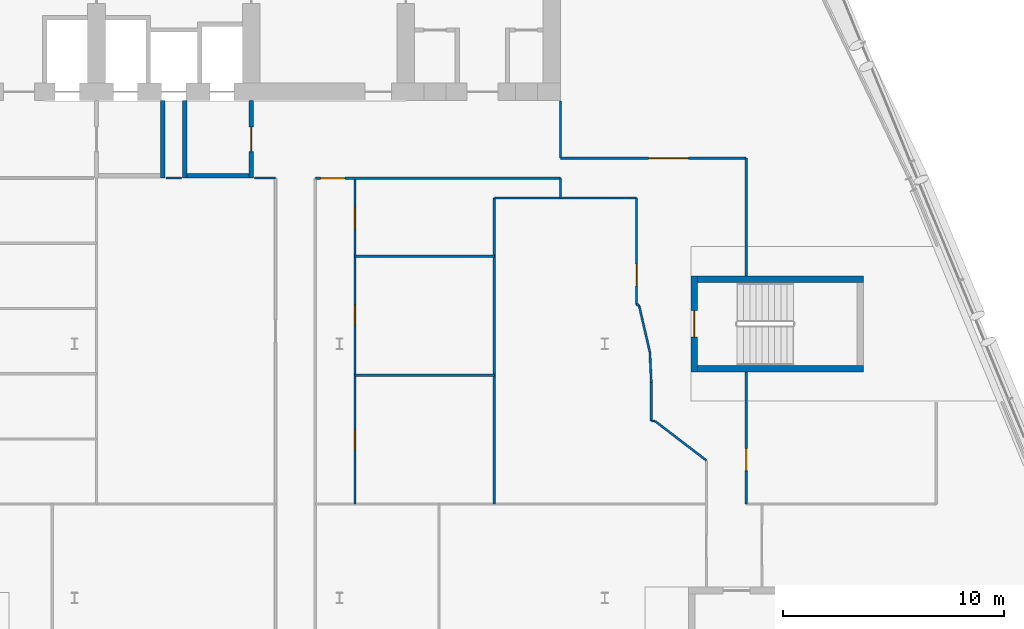
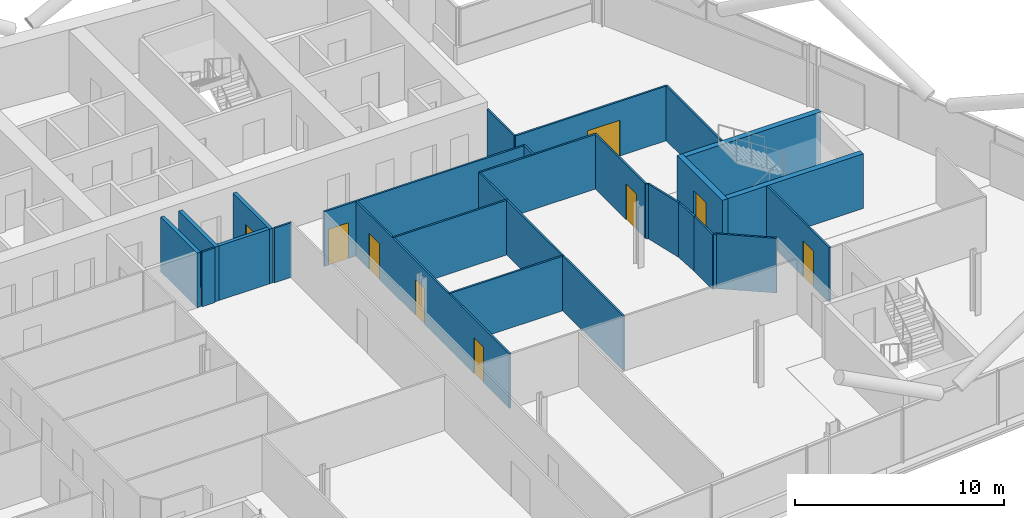
# One storey, part 16 of 26: 27 walls, 9 doors, 9 openings.
"""IFC4 building model written with IfcOpenShell, lengths in metres."""

from ifc_helpers import new_model, si_unit, direction, frame, frame_2d, origin, place, context, subcontext, project, spatial, rectangle, extrude, material, layer, layer_set, type_object, element, fill, save


model = new_model("IFC4")

# Units and contexts
model_context = context("Model", 3, precision=1e-05, world=origin(), true_north=direction((0.0, 1.0)))
body_context = subcontext(model_context, "Body", "Model", "MODEL_VIEW")
ifc_project = project(units=[si_unit("LENGTHUNIT", "METRE"), si_unit("AREAUNIT", "SQUARE_METRE"), si_unit("VOLUMEUNIT", "CUBIC_METRE"), si_unit("PLANEANGLEUNIT", "RADIAN"), si_unit("MASSUNIT", "GRAM", prefix="KILO")], contexts=[model_context])

# Site, building, storey
site_placement = place(None, origin())
site = spatial("IfcSite", under=ifc_project, at=site_placement, CompositionType="ELEMENT")
building_placement = place(site_placement, origin())
building = spatial("IfcBuilding", under=site, at=building_placement, Name="Wharfspan Tower", CompositionType="ELEMENT")
storey_placement = place(building_placement, frame((0.0, 0.0, 166.300049)))
storey = spatial("IfcBuildingStorey", under=building, at=storey_placement, Name="L40", CompositionType="ELEMENT", Elevation=166.300049)

# Wall, opening, door
ifc_material_1 = material(Name="Gypsum board on steel studs", Category="steel")
ifc_layer_1 = layer(ifc_material_1, 0.100098)
ifc_layer_set_1 = layer_set([ifc_layer_1], Name="Gypsum board on steel studs")
wall_type_1 = type_object("IfcWallType", Name="Compartment wall 100 EI 60", PredefinedType="PARTITIONING", material=ifc_layer_set_1)
wall_1_placement = place(storey_placement, frame((46.909912, 30.48999, 0.0), z_axis=(0.0, 0.0, 1.0), x_axis=(1.0, 0.0, 0.0)))
wall_1 = element("IfcWall", 1, at=wall_1_placement, inside=storey, type_object=wall_type_1, Name="Partition L40.w036", PredefinedType="PARTITIONING", context=body_context, shape_type="SweptSolid", body=[
    extrude(rectangle(XDim=11.090088, YDim=0.100098, at=frame_2d((5.544922, 0.0))), origin(), (0.0, 0.0, 1.0), 3.199951),
])
opening_1_placement = place(wall_1_placement, frame((0.235107, 0.0, 0.0)))
opening_1 = element("IfcOpeningElement", 2, at=opening_1_placement, cuts=wall_1, Name="Opening C3-21", PredefinedType="OPENING", context=body_context, shape_type="SweptSolid", body=[
    extrude(rectangle(XDim=1.100098, YDim=2.100098, at=frame_2d((0.550049, 1.050049))), frame((0.0, 0.060059, 0.0), z_axis=(0.0, -1.0, 0.0), x_axis=(1.0, 0.0, 0.0)), (0.0, 0.0, 1.0), 0.120117),
])
ifc_material_2 = material(Name="Fire-rated timber door leaf in steel frame", Category="steel")
door_type_1 = type_object("IfcDoorType", Name="Door 1100 FD30S Left", OperationType="SINGLE_SWING_LEFT", PredefinedType="DOOR", material=ifc_material_2)
door_1_placement = place(opening_1_placement, origin())
door_1 = element("IfcDoor", 3, at=door_1_placement, inside=storey, type_object=door_type_1, Name="Door C3-21", OperationType="SINGLE_SWING_LEFT", OverallHeight=2.100098, OverallWidth=1.100098, PredefinedType="DOOR", context=body_context, shape_type="SweptSolid", body=[
    extrude(rectangle(XDim=1.100098, YDim=2.100098, at=frame_2d((0.550049, 1.050049))), frame((0.0, 0.024902, 0.0), z_axis=(0.0, -1.0, 0.0), x_axis=(1.0, 0.0, 0.0)), (0.0, 0.0, 1.0), 0.050049),
])
fill(opening_1, door_1)

# Wall, openings, doors
wall_2_placement = place(storey_placement, frame((48.699951, 15.745117, 0.0), z_axis=(0.0, 0.0, 1.0), x_axis=(0.0, 1.0, 0.0)))
wall_2 = element("IfcWall", 4, at=wall_2_placement, inside=storey, type_object=wall_type_1, Name="Partition L40.w037", PredefinedType="PARTITIONING", context=body_context, shape_type="SweptSolid", body=[
    extrude(rectangle(XDim=14.744873, YDim=0.100098, at=frame_2d((7.372559, 0.0))), origin(), (0.0, 0.0, 1.0), 3.199951),
])
opening_2_placement = place(wall_2_placement, frame((2.468994, 0.0, 0.0)))
opening_2 = element("IfcOpeningElement", 5, at=opening_2_placement, cuts=wall_2, Name="Opening C3-10", PredefinedType="OPENING", context=body_context, shape_type="SweptSolid", body=[
    extrude(rectangle(XDim=0.899902, YDim=2.100098, at=frame_2d((0.449951, 1.050049))), frame((0.0, 0.060059, 0.0), z_axis=(0.0, -1.0, 0.0), x_axis=(1.0, 0.0, 0.0)), (0.0, 0.0, 1.0), 0.120117),
])
opening_3_placement = place(wall_2_placement, frame((8.099121, 0.0, 0.0)))
opening_3 = element("IfcOpeningElement", 6, at=opening_3_placement, cuts=wall_2, Name="Opening C3-15", PredefinedType="OPENING", context=body_context, shape_type="SweptSolid", body=[
    extrude(rectangle(XDim=0.899902, YDim=2.100098, at=frame_2d((0.449951, 1.050049))), frame((0.0, 0.060059, 0.0), z_axis=(0.0, -1.0, 0.0), x_axis=(1.0, 0.0, 0.0)), (0.0, 0.0, 1.0), 0.120117),
])
opening_4_placement = place(wall_2_placement, frame((12.434082, 0.0, 0.0)))
opening_4 = element("IfcOpeningElement", 7, at=opening_4_placement, cuts=wall_2, Name="Opening C3-19", PredefinedType="OPENING", context=body_context, shape_type="SweptSolid", body=[
    extrude(rectangle(XDim=1.0, YDim=2.100098, at=frame_2d((0.5, 1.050049))), frame((0.0, 0.060059, 0.0), z_axis=(0.0, -1.0, 0.0), x_axis=(1.0, 0.0, 0.0)), (0.0, 0.0, 1.0), 0.120117),
])
ifc_material_3 = material(Name="Timber door leaf in steel frame", Category="steel")
door_type_2 = type_object("IfcDoorType", Name="Door 1000 NOT RATED Right", OperationType="SINGLE_SWING_RIGHT", PredefinedType="DOOR", material=ifc_material_3)
door_2_placement = place(opening_4_placement, origin())
door_2 = element("IfcDoor", 8, at=door_2_placement, inside=storey, type_object=door_type_2, Name="Door C3-19", OperationType="SINGLE_SWING_RIGHT", OverallHeight=2.100098, OverallWidth=1.0, PredefinedType="DOOR", context=body_context, shape_type="SweptSolid", body=[
    extrude(rectangle(XDim=1.0, YDim=2.100098, at=frame_2d((0.5, 1.050049))), frame((0.0, 0.024902, 0.0), z_axis=(0.0, -1.0, 0.0), x_axis=(1.0, 0.0, 0.0)), (0.0, 0.0, 1.0), 0.050049),
])
fill(opening_4, door_2)
door_type_3 = type_object("IfcDoorType", Name="Door 900 NOT RATED Left", OperationType="SINGLE_SWING_LEFT", PredefinedType="DOOR", material=ifc_material_3)
door_3_placement = place(opening_2_placement, origin())
door_3 = element("IfcDoor", 9, at=door_3_placement, inside=storey, type_object=door_type_3, Name="Door C3-10", OperationType="SINGLE_SWING_LEFT", OverallHeight=2.100098, OverallWidth=0.899902, PredefinedType="DOOR", context=body_context, shape_type="SweptSolid", body=[
    extrude(rectangle(XDim=0.899902, YDim=2.100098, at=frame_2d((0.449951, 1.050049))), frame((0.0, 0.024902, 0.0), z_axis=(0.0, -1.0, 0.0), x_axis=(1.0, 0.0, 0.0)), (0.0, 0.0, 1.0), 0.050049),
])
fill(opening_2, door_3)
door_type_4 = type_object("IfcDoorType", Name="Door 900 NOT RATED Right", OperationType="SINGLE_SWING_RIGHT", PredefinedType="DOOR", material=ifc_material_3)
door_4_placement = place(opening_3_placement, origin())
door_4 = element("IfcDoor", 10, at=door_4_placement, inside=storey, type_object=door_type_4, Name="Door C3-15", OperationType="SINGLE_SWING_RIGHT", OverallHeight=2.100098, OverallWidth=0.899902, PredefinedType="DOOR", context=body_context, shape_type="SweptSolid", body=[
    extrude(rectangle(XDim=0.899902, YDim=2.100098, at=frame_2d((0.449951, 1.050049))), frame((0.0, 0.024902, 0.0), z_axis=(0.0, -1.0, 0.0), x_axis=(1.0, 0.0, 0.0)), (0.0, 0.0, 1.0), 0.050049),
])
fill(opening_3, door_4)

# Walls
wall_3_placement = place(storey_placement, frame((55.0, 29.600098, 0.0), z_axis=(0.0, 0.0, 1.0), x_axis=(1.0, 0.0, 0.0)))
element("IfcWall", 11, at=wall_3_placement, inside=storey, type_object=wall_type_1, Name="Partition L40.w044", PredefinedType="PARTITIONING", context=body_context, shape_type="SweptSolid", body=[
    extrude(rectangle(XDim=6.439941, YDim=0.100098, at=frame_2d((3.219971, 0.0))), origin(), (0.0, 0.0, 1.0), 3.199951),
])
wall_4_placement = place(storey_placement, frame((58.0, 29.600098, 0.0), z_axis=(0.0, 0.0, 1.0), x_axis=(0.0, 1.0, 0.0)))
element("IfcWall", 12, at=wall_4_placement, inside=storey, type_object=wall_type_1, Name="Partition L40.w045", PredefinedType="PARTITIONING", context=body_context, shape_type="SweptSolid", body=[
    extrude(rectangle(XDim=0.899902, YDim=0.100098, at=frame_2d((0.449951, 0.0))), origin(), (0.0, 0.0, 1.0), 3.199951),
])
wall_5_placement = place(storey_placement, frame((58.0, 31.399902, 0.0), z_axis=(0.0, 0.0, 1.0), x_axis=(0.0, 1.0, 0.0)))
element("IfcWall", 13, at=wall_5_placement, inside=storey, type_object=wall_type_1, Name="Partition L40.w046", PredefinedType="PARTITIONING", context=body_context, shape_type="SweptSolid", body=[
    extrude(rectangle(XDim=2.580078, YDim=0.100098, at=frame_2d((1.290039, 0.0))), origin(), (0.0, 0.0, 1.0), 3.199951),
])

# Wall, opening, door
wall_6_placement = place(storey_placement, frame((58.0, 31.399902, 0.0), z_axis=(0.0, 0.0, 1.0), x_axis=(1.0, 0.0, 0.0)))
wall_6 = element("IfcWall", 14, at=wall_6_placement, inside=storey, type_object=wall_type_1, Name="Partition L40.w047", PredefinedType="PARTITIONING", context=body_context, shape_type="SweptSolid", body=[
    extrude(rectangle(XDim=8.399902, YDim=0.100098, at=frame_2d((4.199951, 0.0))), origin(), (0.0, 0.0, 1.0), 3.199951),
])
opening_5_placement = place(wall_6_placement, frame((3.97998, 0.0, 0.0)))
opening_5 = element("IfcOpeningElement", 15, at=opening_5_placement, cuts=wall_6, Name="Opening C3-24", PredefinedType="OPENING", context=body_context, shape_type="SweptSolid", body=[
    extrude(rectangle(XDim=1.800049, YDim=2.100098, at=frame_2d((0.899902, 1.050049))), frame((0.0, 0.060059, 0.0), z_axis=(0.0, -1.0, 0.0), x_axis=(1.0, 0.0, 0.0)), (0.0, 0.0, 1.0), 0.120117),
])
door_type_5 = type_object("IfcDoorType", Name="Door 1800 FD30S Double", OperationType="DOUBLE_DOOR_SINGLE_SWING", PredefinedType="DOOR", material=ifc_material_2)
door_5_placement = place(opening_5_placement, origin())
door_5 = element("IfcDoor", 16, at=door_5_placement, inside=storey, type_object=door_type_5, Name="Door C3-24", OperationType="DOUBLE_DOOR_SINGLE_SWING", OverallHeight=2.100098, OverallWidth=1.800049, PredefinedType="DOOR", context=body_context, shape_type="SweptSolid", body=[
    extrude(rectangle(XDim=1.800049, YDim=2.100098, at=frame_2d((0.899902, 1.050049))), frame((0.0, 0.024902, 0.0), z_axis=(0.0, -1.0, 0.0), x_axis=(1.0, 0.0, 0.0)), (0.0, 0.0, 1.0), 0.050049),
])
fill(opening_5, door_5)

wall_7_placement = place(storey_placement, frame((61.439941, 24.800049, 0.0), z_axis=(0.0, 0.0, 1.0), x_axis=(0.0, 1.0, 0.0)))
wall_7 = element("IfcWall", 17, at=wall_7_placement, inside=storey, type_object=wall_type_1, Name="Partition L40.w049", PredefinedType="PARTITIONING", context=body_context, shape_type="SweptSolid", body=[
    extrude(rectangle(XDim=4.800049, YDim=0.100098, at=frame_2d((2.399902, 0.0))), origin(), (0.0, 0.0, 1.0), 3.199951),
])
opening_6_placement = place(wall_7_placement, frame((0.820068, 0.0, 0.0)))
opening_6 = element("IfcOpeningElement", 18, at=opening_6_placement, cuts=wall_7, Name="Opening C3-17", PredefinedType="OPENING", context=body_context, shape_type="SweptSolid", body=[
    extrude(rectangle(XDim=1.0, YDim=2.100098, at=frame_2d((0.5, 1.050049))), frame((0.0, 0.060059, 0.0), z_axis=(0.0, -1.0, 0.0), x_axis=(1.0, 0.0, 0.0)), (0.0, 0.0, 1.0), 0.120117),
])
door_type_6 = type_object("IfcDoorType", Name="Door 1000 FD30S Left", OperationType="SINGLE_SWING_LEFT", PredefinedType="DOOR", material=ifc_material_2)
door_6_placement = place(opening_6_placement, origin())
door_6 = element("IfcDoor", 19, at=door_6_placement, inside=storey, type_object=door_type_6, Name="Door C3-17", OperationType="SINGLE_SWING_LEFT", OverallHeight=2.100098, OverallWidth=1.0, PredefinedType="DOOR", context=body_context, shape_type="SweptSolid", body=[
    extrude(rectangle(XDim=1.0, YDim=2.100098, at=frame_2d((0.5, 1.050049))), frame((0.0, 0.024902, 0.0), z_axis=(0.0, -1.0, 0.0), x_axis=(1.0, 0.0, 0.0)), (0.0, 0.0, 1.0), 0.050049),
])
fill(opening_6, door_6)

# Walls
wall_8_placement = place(storey_placement, frame((61.560059, 24.695068, 0.0), z_axis=(0.0, 0.0, 1.0), x_axis=(-0.752958, 0.658073, 0.0)))
element("IfcWall", 20, at=wall_8_placement, inside=storey, type_object=wall_type_1, Name="Partition L40.w050", PredefinedType="PARTITIONING", context=body_context, shape_type="SweptSolid", body=[
    extrude(rectangle(XDim=0.159424, YDim=0.100098, at=frame_2d((0.07959, 0.0))), origin(), (0.0, 0.0, 1.0), 3.199951),
])
wall_9_placement = place(storey_placement, frame((62.040039, 22.629883, 0.0), z_axis=(0.0, 0.0, 1.0), x_axis=(-0.226381, 0.974037, 0.0)))
element("IfcWall", 21, at=wall_9_placement, inside=storey, type_object=wall_type_1, Name="Partition L40.w051", PredefinedType="PARTITIONING", context=body_context, shape_type="SweptSolid", body=[
    extrude(rectangle(XDim=2.120117, YDim=0.100098, at=frame_2d((1.060059, 0.0))), origin(), (0.0, 0.0, 1.0), 3.199951),
])
wall_10_placement = place(storey_placement, frame((62.10498, 19.5, 0.0), z_axis=(0.0, 0.0, 1.0), x_axis=(0.0, 1.0, 0.0)))
element("IfcWall", 22, at=wall_10_placement, inside=storey, type_object=wall_type_1, Name="Partition L40.w052", PredefinedType="PARTITIONING", context=body_context, shape_type="SweptSolid", body=[
    extrude(rectangle(XDim=1.75, YDim=0.100098, at=frame_2d((0.875, 0.0))), origin(), (0.0, 0.0, 1.0), 3.199951),
])
wall_11_placement = place(storey_placement, frame((62.10498, 19.5, 0.0), z_axis=(0.0, 0.0, 1.0), x_axis=(1.0, 0.0, 0.0)))
element("IfcWall", 23, at=wall_11_placement, inside=storey, type_object=wall_type_1, Name="Partition L40.w053", PredefinedType="PARTITIONING", context=body_context, shape_type="SweptSolid", body=[
    extrude(rectangle(XDim=0.169922, YDim=0.100098, at=frame_2d((0.084961, 0.0))), origin(), (0.0, 0.0, 1.0), 3.199951),
])
wall_12_placement = place(storey_placement, frame((62.10498, 21.25, 0.0), z_axis=(0.0, 0.0, 1.0), x_axis=(-0.047011, 0.998895, 0.0)))
element("IfcWall", 24, at=wall_12_placement, inside=storey, type_object=wall_type_1, Name="Partition L40.w054", PredefinedType="PARTITIONING", context=body_context, shape_type="SweptSolid", body=[
    extrude(rectangle(XDim=1.381348, YDim=0.100098, at=frame_2d((0.690674, 0.0))), origin(), (0.0, 0.0, 1.0), 3.199951),
])
wall_13_placement = place(storey_placement, frame((64.600098, 17.719971, 0.0), z_axis=(0.0, 0.0, 1.0), x_axis=(-0.794036, 0.607866, 0.0)))
element("IfcWall", 25, at=wall_13_placement, inside=storey, type_object=wall_type_1, Name="Partition L40.w056", PredefinedType="PARTITIONING", context=body_context, shape_type="SweptSolid", body=[
    extrude(rectangle(XDim=2.928223, YDim=0.100098, at=frame_2d((1.464111, 0.0))), origin(), (0.0, 0.0, 1.0), 3.199951),
])

# Wall, opening, door
wall_14_placement = place(storey_placement, frame((66.399902, 15.745117, 0.0), z_axis=(0.0, 0.0, 1.0), x_axis=(0.0, 1.0, 0.0)))
wall_14 = element("IfcWall", 26, at=wall_14_placement, inside=storey, type_object=wall_type_1, Name="Partition L40.w057", PredefinedType="PARTITIONING", context=body_context, shape_type="SweptSolid", body=[
    extrude(rectangle(XDim=5.97998, YDim=0.100098, at=frame_2d((2.98999, 0.0))), origin(), (0.0, 0.0, 1.0), 3.199951),
])
opening_7_placement = place(wall_14_placement, frame((1.51001, 0.0, 0.0)))
opening_7 = element("IfcOpeningElement", 27, at=opening_7_placement, cuts=wall_14, Name="Opening C3-08", PredefinedType="OPENING", context=body_context, shape_type="SweptSolid", body=[
    extrude(rectangle(XDim=1.0, YDim=2.100098, at=frame_2d((0.5, 1.050049))), frame((0.0, 0.060059, 0.0), z_axis=(0.0, -1.0, 0.0), x_axis=(1.0, 0.0, 0.0)), (0.0, 0.0, 1.0), 0.120117),
])
door_7_placement = place(opening_7_placement, origin())
door_7 = element("IfcDoor", 28, at=door_7_placement, inside=storey, type_object=door_type_6, Name="Door C3-08", OperationType="SINGLE_SWING_LEFT", OverallHeight=2.100098, OverallWidth=1.0, PredefinedType="DOOR", context=body_context, shape_type="SweptSolid", body=[
    extrude(rectangle(XDim=1.0, YDim=2.100098, at=frame_2d((0.5, 1.050049))), frame((0.0, 0.024902, 0.0), z_axis=(0.0, -1.0, 0.0), x_axis=(1.0, 0.0, 0.0)), (0.0, 0.0, 1.0), 0.050049),
])
fill(opening_7, door_7)

# Walls
wall_15_placement = place(storey_placement, frame((66.399902, 26.074951, 0.0), z_axis=(0.0, 0.0, 1.0), x_axis=(0.0, 1.0, 0.0)))
element("IfcWall", 29, at=wall_15_placement, inside=storey, type_object=wall_type_1, Name="Partition L40.w059", PredefinedType="PARTITIONING", context=body_context, shape_type="SweptSolid", body=[
    extrude(rectangle(XDim=5.324951, YDim=0.100098, at=frame_2d((2.662598, 0.0))), origin(), (0.0, 0.0, 1.0), 3.199951),
])
wall_16_placement = place(storey_placement, frame((40.149902, 30.5, 0.0), z_axis=(0.0, 0.0, 1.0), x_axis=(1.0, 0.0, 0.0)))
element("IfcWall", 30, at=wall_16_placement, inside=storey, type_object=wall_type_1, Name="Partition L40.w025 (2)", PredefinedType="PARTITIONING", context=body_context, shape_type="SweptSolid", body=[
    extrude(rectangle(XDim=0.700195, YDim=0.100098, at=frame_2d((0.350098, 0.0))), origin(), (0.0, 0.0, 1.0), 3.199951),
])
wall_17_placement = place(storey_placement, frame((44.149902, 30.5, 0.0), z_axis=(0.0, 0.0, 1.0), x_axis=(1.0, 0.0, 0.0)))
element("IfcWall", 31, at=wall_17_placement, inside=storey, type_object=wall_type_1, Name="Partition L40.w025 (3)", PredefinedType="PARTITIONING", context=body_context, shape_type="SweptSolid", body=[
    extrude(rectangle(XDim=0.950195, YDim=0.100098, at=frame_2d((0.475098, 0.0))), origin(), (0.0, 0.0, 1.0), 3.199951),
])
ifc_material_4 = material(Name="Concrete C30/37", Category="concrete")
ifc_layer_2 = layer(ifc_material_4, 0.199951)
ifc_layer_set_2 = layer_set([ifc_layer_2], Name="Concrete C30/37")
wall_type_2 = type_object("IfcWallType", Name="Lobby wall 200", PredefinedType="PARTITIONING", material=ifc_layer_set_2)
for number, where, z_axis, x_axis, name in (
    (32, (40.0, 30.5, 0.0), (0.0, 0.0, 1.0), (0.0, 1.0, 0.0), "sw:L40:FLFF1E"),
    (33, (41.0, 30.5, 0.0), (0.0, 0.0, 1.0), (0.0, 1.0, 0.0), "sw:L40:FLFF2W"),
):
    element("IfcWall", number, at=place(storey_placement, frame(where, z_axis=z_axis, x_axis=x_axis)), inside=storey, type_object=wall_type_2, Name=name, PredefinedType="PARTITIONING", context=body_context, shape_type="SweptSolid", body=[
        extrude(rectangle(XDim=3.5, YDim=0.199951, at=frame_2d((1.75, 0.0))), origin(), (0.0, 0.0, 1.0), 3.199951),
    ])

# Wall, opening, door
wall_18_placement = place(storey_placement, frame((44.0, 30.5, 0.0), z_axis=(0.0, 0.0, 1.0), x_axis=(0.0, 1.0, 0.0)))
wall_18 = element("IfcWall", 34, at=wall_18_placement, inside=storey, type_object=wall_type_2, Name="sw:L40:FLFF2E", PredefinedType="PARTITIONING", context=body_context, shape_type="SweptSolid", body=[
    extrude(rectangle(XDim=3.5, YDim=0.199951, at=frame_2d((1.75, 0.0))), origin(), (0.0, 0.0, 1.0), 3.199951),
])
opening_8_placement = place(wall_18_placement, frame((1.199951, 0.0, 0.0)))
opening_8 = element("IfcOpeningElement", 35, at=opening_8_placement, cuts=wall_18, Name="Opening FL.FF2.L40", PredefinedType="OPENING", context=body_context, shape_type="SweptSolid", body=[
    extrude(rectangle(XDim=1.100098, YDim=2.100098, at=frame_2d((0.550049, 1.050049))), frame((0.0, 0.109863, 0.0), z_axis=(0.0, -1.0, 0.0), x_axis=(1.0, 0.0, 0.0)), (0.0, 0.0, 1.0), 0.219971),
])
ifc_material_5 = material(Name="Steel door leaf", Category="steel")
door_type_7 = type_object("IfcDoorType", Name="Firefighting lobby door 1100x2100", OperationType="SINGLE_SWING_LEFT", PredefinedType="DOOR", material=ifc_material_5)
door_8_placement = place(opening_8_placement, origin())
door_8 = element("IfcDoor", 36, at=door_8_placement, inside=storey, type_object=door_type_7, Name="fd:L40:FF2", OperationType="SINGLE_SWING_LEFT", OverallHeight=2.100098, OverallWidth=1.100098, PredefinedType="DOOR", context=body_context, shape_type="SweptSolid", body=[
    extrude(rectangle(XDim=1.100098, YDim=2.100098, at=frame_2d((0.550049, 1.050049))), frame((0.0, 0.024902, 0.0), z_axis=(0.0, -1.0, 0.0), x_axis=(1.0, 0.0, 0.0)), (0.0, 0.0, 1.0), 0.050049),
])
fill(opening_8, door_8)

# Walls
wall_19_placement = place(storey_placement, frame((41.100098, 30.600098, 0.0), z_axis=(0.0, 0.0, 1.0), x_axis=(1.0, 0.0, 0.0)))
element("IfcWall", 37, at=wall_19_placement, inside=storey, type_object=wall_type_2, Name="sw:L40:FLFF2F", PredefinedType="PARTITIONING", context=body_context, shape_type="SweptSolid", body=[
    extrude(rectangle(XDim=2.799805, YDim=0.199951, at=frame_2d((1.399902, 0.0))), origin(), (0.0, 0.0, 1.0), 3.199951),
])
ifc_layer_3 = layer(ifc_material_1, 0.100098)
ifc_layer_set_3 = layer_set([ifc_layer_3], Name="Gypsum board on steel studs")
wall_type_3 = type_object("IfcWallType", Name="Partition 100", PredefinedType="PARTITIONING", material=ifc_layer_set_3)
for number, where, z_axis, x_axis, name in (
    (38, (48.699951, 21.574951, 0.0), (0.0, 0.0, 1.0), (1.0, 0.0, 0.0), "Partition L40.w038"),
    (39, (48.699951, 26.959961, 0.0), (0.0, 0.0, 1.0), (1.0, 0.0, 0.0), "Partition L40.w039"),
):
    element("IfcWall", number, at=place(storey_placement, frame(where, z_axis=z_axis, x_axis=x_axis)), inside=storey, type_object=wall_type_3, Name=name, PredefinedType="PARTITIONING", context=body_context, shape_type="SweptSolid", body=[
        extrude(rectangle(XDim=6.300049, YDim=0.100098, at=frame_2d((3.149902, 0.0))), origin(), (0.0, 0.0, 1.0), 3.199951),
    ])
wall_20_placement = place(storey_placement, frame((55.0, 15.745117, 0.0), z_axis=(0.0, 0.0, 1.0), x_axis=(0.0, 1.0, 0.0)))
element("IfcWall", 40, at=wall_20_placement, inside=storey, type_object=wall_type_3, Name="Partition L40.w043", PredefinedType="PARTITIONING", context=body_context, shape_type="SweptSolid", body=[
    extrude(rectangle(XDim=13.85498, YDim=0.100098, at=frame_2d((6.92749, 0.0))), origin(), (0.0, 0.0, 1.0), 3.199951),
])

# Wall, opening, door
ifc_material_6 = material(Name="Concrete C40/50", Category="concrete")
ifc_layer_4 = layer(ifc_material_6, 0.300049)
ifc_layer_set_4 = layer_set([ifc_layer_4], Name="Concrete C40/50")
wall_type_4 = type_object("IfcWallType", Name="Stair core wall 300", PredefinedType="SHEAR", material=ifc_layer_set_4)
wall_21_placement = place(storey_placement, frame((64.054688, 21.725098, 0.0), z_axis=(0.0, 0.0, 1.0), x_axis=(0.0, 1.0, 0.0)))
wall_21 = element("IfcWall", 41, at=wall_21_placement, inside=storey, type_object=wall_type_4, Name="ST6 stair enclosure wall L40", PredefinedType="SHEAR", context=body_context, shape_type="SweptSolid", body=[
    extrude(rectangle(XDim=4.349854, YDim=0.300049, at=frame_2d((2.174805, 0.0))), origin(), (0.0, 0.0, 1.0), 3.199951),
])
opening_9_placement = place(wall_21_placement, frame((1.574951, 0.0, 0.0)))
opening_9 = element("IfcOpeningElement", 42, at=opening_9_placement, cuts=wall_21, Name="Opening SD6.L40", PredefinedType="OPENING", context=body_context, shape_type="SweptSolid", body=[
    extrude(rectangle(XDim=1.199951, YDim=2.100098, at=frame_2d((0.600098, 1.050049))), frame((0.0, 0.159912, 0.0), z_axis=(0.0, -1.0, 0.0), x_axis=(1.0, 0.0, 0.0)), (0.0, 0.0, 1.0), 0.320068),
])
door_type_8 = type_object("IfcDoorType", Name="Stair door 1200x2100", OperationType="SINGLE_SWING_LEFT", PredefinedType="DOOR", material=ifc_material_5)
door_9_placement = place(opening_9_placement, origin())
door_9 = element("IfcDoor", 43, at=door_9_placement, inside=storey, type_object=door_type_8, Name="sd:L40:ST6z3", OperationType="SINGLE_SWING_RIGHT", OverallHeight=2.100098, OverallWidth=1.199951, PredefinedType="DOOR", context=body_context, shape_type="SweptSolid", body=[
    extrude(rectangle(XDim=1.199951, YDim=2.100098, at=frame_2d((0.600098, 1.050049))), frame((0.0, 0.024902, 0.0), z_axis=(0.0, -1.0, 0.0), x_axis=(1.0, 0.0, 0.0)), (0.0, 0.0, 1.0), 0.050049),
])
fill(opening_9, door_9)

# Walls
for number, where, z_axis, x_axis, name in (
    (44, (64.20459, 21.875, 0.0), (0.0, 0.0, 1.0), (1.0, 0.0, 0.0), "ST6 stair enclosure wall L40"),
    (45, (64.20459, 25.925049, 0.0), (0.0, 0.0, 1.0), (1.0, 0.0, 0.0), "ST6 stair enclosure wall L40"),
):
    element("IfcWall", number, at=place(storey_placement, frame(where, z_axis=z_axis, x_axis=x_axis)), inside=storey, type_object=wall_type_4, Name=name, PredefinedType="SHEAR", context=body_context, shape_type="SweptSolid", body=[
        extrude(rectangle(XDim=7.5, YDim=0.300049, at=frame_2d((3.75, 0.0))), origin(), (0.0, 0.0, 1.0), 3.199951),
    ])

save(model, "model.ifc")
